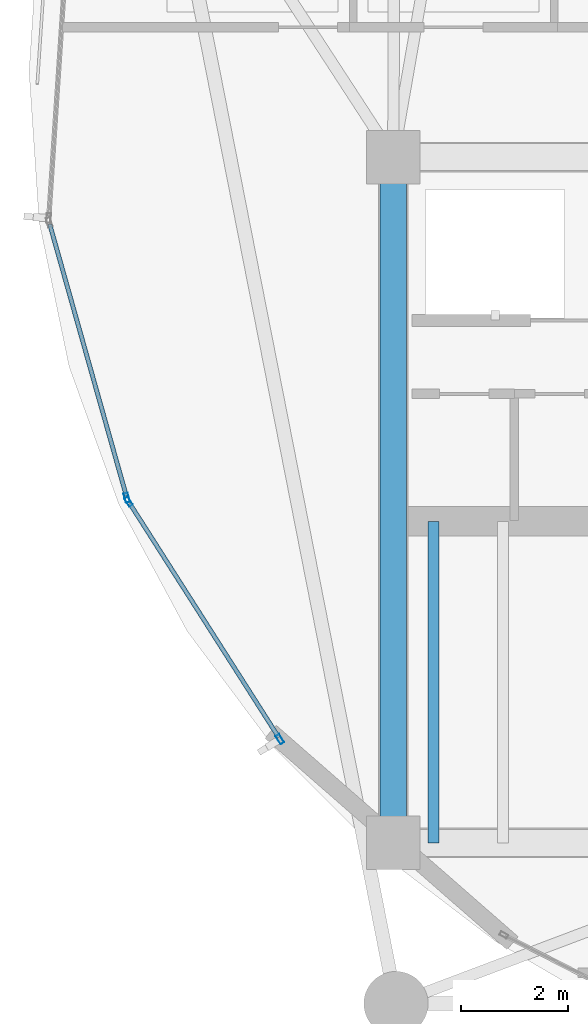
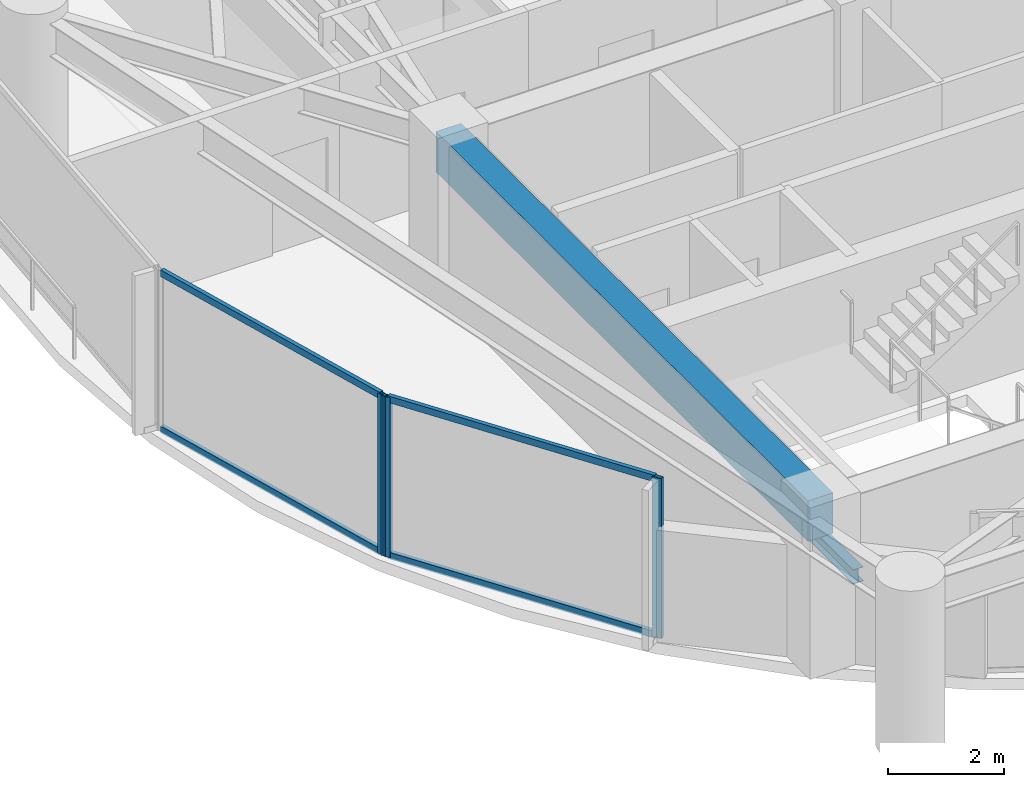
# One storey, part 3 of 31: 7 members, 2 beams, 2 elements without a shape of their own.
"""IFC4 building model written with IfcOpenShell, lengths in metres."""

from ifc_helpers import new_model, si_unit, direction, frame, origin, origin_2d, place, context, subcontext, project, spatial, rectangle, hollow_rectangle, i_section, extrude, material, layer, layer_set, material_profile, profile_set, type_object, element, aggregate, save


model = new_model("IFC4")

# Units and contexts
model_context = context("Model", 3, precision=1e-05, world=origin(), true_north=direction((0.0, 1.0)))
body_context = subcontext(model_context, "Body", "Model", "MODEL_VIEW")
ifc_project = project(units=[si_unit("LENGTHUNIT", "METRE"), si_unit("AREAUNIT", "SQUARE_METRE"), si_unit("VOLUMEUNIT", "CUBIC_METRE"), si_unit("PLANEANGLEUNIT", "RADIAN"), si_unit("MASSUNIT", "GRAM", prefix="KILO")], contexts=[model_context])

# Site, building, storey
site_placement = place(None, origin())
site = spatial("IfcSite", under=ifc_project, at=site_placement, CompositionType="ELEMENT")
building_placement = place(site_placement, origin())
building = spatial("IfcBuilding", under=site, at=building_placement, Name="Kazevale Care Tower and Concert Hall", CompositionType="ELEMENT")
storey_placement = place(building_placement, frame((0.0, 0.0, 124.199951171875)))
storey = spatial("IfcBuildingStorey", under=building, at=storey_placement, Name="L32", CompositionType="ELEMENT", Elevation=124.199951171875)

# Curtain wall, members
ifc_material_1 = material(Name="Aluminium 6063-T6 and Low-E Glass", Category="aluminium")
ifc_layer = layer(ifc_material_1, 0.179931640625)
ifc_layer_set = layer_set([ifc_layer], Name="Aluminium 6063-T6 and Low-E Glass")
curtain_wall_type = type_object("IfcCurtainWallType", Name="Waist & Upper Residential Curtain Wall CW-4", PredefinedType="NOTDEFINED", material=ifc_layer_set)
curtain_wall_1_placement = place(storey_placement, origin())
curtain_wall_1 = element("IfcCurtainWall", 1, at=curtain_wall_1_placement, inside=storey, type_object=curtain_wall_type, Name="cw:L32:f11", PredefinedType="NOTDEFINED")
ifc_material_2 = material(Name="Aluminium 6063-T6", Category="aluminium")
ifc_material_profile_1 = material_profile(ifc_material_2, hollow_rectangle(XDim=0.080078125, YDim=0.179931640625, WallThickness=0.0048828125, at=origin_2d()), Name="ALU80x180x5")
ifc_profile_set_1 = profile_set([ifc_material_profile_1], Name="Aluminium 6063-T6")
member_type_1 = type_object("IfcMemberType", Name="CW-4 Mullion ALU80x180x5", PredefinedType="MULLION", material=ifc_profile_set_1)
member_1_placement = place(storey_placement, frame((19.882568359375, 25.53564453125, 0.0), z_axis=(0.0, 0.0, 1.0), x_axis=(-0.843429930967, -0.537239193981, 0.0)))
member_1 = element("IfcMember", 2, at=member_1_placement, type_object=member_type_1, Name="CW-4 mullion 1", PredefinedType="MULLION", context=body_context, shape_type="SweptSolid", body=[
    extrude(hollow_rectangle(XDim=0.080078125, YDim=0.179931640625, WallThickness=0.0048828125, at=origin_2d()), origin(), (0.0, 0.0, 1.0), 3.360107421875),
])
member_2_placement = place(storey_placement, frame((17.05859375, 29.96923828125, 0.0), z_axis=(0.0, 0.0, 1.0), x_axis=(-0.843429930967, -0.537239193981, 0.0)))
member_2 = element("IfcMember", 3, at=member_2_placement, type_object=member_type_1, Name="CW-4 mullion 2", PredefinedType="MULLION", context=body_context, shape_type="SweptSolid", body=[
    extrude(hollow_rectangle(XDim=0.080078125, YDim=0.179931640625, WallThickness=0.0048828125, at=origin_2d()), origin(), (0.0, 0.0, 1.0), 3.360107421875),
])

# Curtain wall, member
curtain_wall_2_placement = place(storey_placement, origin())
curtain_wall_2 = element("IfcCurtainWall", 4, at=curtain_wall_2_placement, inside=storey, type_object=curtain_wall_type, Name="cw:L32:f12", PredefinedType="NOTDEFINED")
member_3_placement = place(storey_placement, frame((17.026123046875, 30.04150390625, 0.0), z_axis=(0.0, 0.0, 1.0), x_axis=(-0.962499078876, -0.271284948278, 0.0)))
member_3 = element("IfcMember", 5, at=member_3_placement, type_object=member_type_1, Name="CW-4 mullion 1", PredefinedType="MULLION", context=body_context, shape_type="SweptSolid", body=[
    extrude(hollow_rectangle(XDim=0.080078125, YDim=0.179931640625, WallThickness=0.0048828125, at=origin_2d()), origin(), (0.0, 0.0, 1.0), 3.360107421875),
])

# Member
ifc_material_profile_2 = material_profile(ifc_material_2, hollow_rectangle(XDim=0.080078125, YDim=0.139892578125, WallThickness=0.00390625, at=origin_2d()), Name="ALU80x140x4")
ifc_profile_set_2 = profile_set([ifc_material_profile_2], Name="Aluminium 6063-T6")
member_type_2 = type_object("IfcMemberType", Name="CW-4 Transom ALU80x140x4", PredefinedType="USERDEFINED", material=ifc_profile_set_2)
member_4_placement = place(storey_placement, frame((19.861083984375, 25.569580078125, 0.0400390625), z_axis=(-0.537241653837, 0.843428364109, 0.0), x_axis=(-0.843428364109, -0.537241653837, 0.0)))
member_4 = element("IfcMember", 6, at=member_4_placement, type_object=member_type_2, Name="CW-4 transom 1.1", ObjectType="TRANSOM", PredefinedType="USERDEFINED", context=body_context, shape_type="SweptSolid", body=[
    extrude(hollow_rectangle(XDim=0.080078125, YDim=0.139892578125, WallThickness=0.00390625, at=origin_2d()), origin(), (0.0, 0.0, 1.0), 5.176513671875),
])

member_5_placement = place(storey_placement, frame((19.861083984375, 25.569580078125, 3.320068359375), z_axis=(-0.537241653837, 0.843428364109, 0.0), x_axis=(-0.843428364109, -0.537241653837, 0.0)))
member_5 = element("IfcMember", 7, at=member_5_placement, type_object=member_type_2, Name="CW-4 transom 1.2", ObjectType="TRANSOM", PredefinedType="USERDEFINED", context=body_context, shape_type="SweptSolid", body=[
    extrude(hollow_rectangle(XDim=0.080078125, YDim=0.139892578125, WallThickness=0.00390625, at=origin_2d()), origin(), (0.0, 0.0, 1.0), 5.176513671875),
])

aggregate(curtain_wall_1, [member_1, member_2, member_4, member_5])

member_6_placement = place(storey_placement, frame((17.015380859375, 30.080078125, 0.0400390625), z_axis=(-0.271312503244, 0.962491311952, 0.0), x_axis=(-0.962491311952, -0.271312503244, 0.0)))
member_6 = element("IfcMember", 8, at=member_6_placement, type_object=member_type_2, Name="CW-4 transom 1.1", ObjectType="TRANSOM", PredefinedType="USERDEFINED", context=body_context, shape_type="SweptSolid", body=[
    extrude(hollow_rectangle(XDim=0.080078125, YDim=0.139892578125, WallThickness=0.00390625, at=origin_2d()), origin(), (0.0, 0.0, 1.0), 5.26220703125),
])

member_7_placement = place(storey_placement, frame((17.015380859375, 30.080078125, 3.320068359375), z_axis=(-0.271312503244, 0.962491311952, 0.0), x_axis=(-0.962491311952, -0.271312503244, 0.0)))
member_7 = element("IfcMember", 9, at=member_7_placement, type_object=member_type_2, Name="CW-4 transom 1.2", ObjectType="TRANSOM", PredefinedType="USERDEFINED", context=body_context, shape_type="SweptSolid", body=[
    extrude(hollow_rectangle(XDim=0.080078125, YDim=0.139892578125, WallThickness=0.00390625, at=origin_2d()), origin(), (0.0, 0.0, 1.0), 5.26220703125),
])

aggregate(curtain_wall_2, [member_3, member_6, member_7])

# Beams
ifc_material_3 = material(Name="Concrete C60", Category="concrete")
ifc_material_profile_3 = material_profile(ifc_material_3, rectangle(XDim=0.5, YDim=0.85009765625, at=origin_2d()), Name="RC-B500x850")
ifc_profile_set_3 = profile_set([ifc_material_profile_3], Name="Concrete C60")
beam_type_1 = type_object("IfcBeamType", Name="Core Coupling Beam RC500x850", PredefinedType="LINTEL", material=ifc_profile_set_3)
beam_1_placement = place(storey_placement, frame((22.0, 36.39990234375, 2.93505859375), z_axis=(0.0, -1.0, 0.0), x_axis=(1.0, 0.0, 0.0)))
element("IfcBeam", 10, at=beam_1_placement, inside=storey, type_object=beam_type_1, Name="beam:L32:coretie:8", PredefinedType="LINTEL", context=body_context, shape_type="SweptSolid", body=[
    extrude(rectangle(XDim=0.5, YDim=0.85009765625, at=origin_2d()), origin(), (0.0, 0.0, 1.0), 12.7998046875),
])
ifc_material_4 = material(Name="Steel ASTM A572 Gr 50", Category="steel")
ifc_material_profile_4 = material_profile(ifc_material_4, i_section(OverallWidth=0.202880859375, OverallDepth=0.302978515625, WebThickness=0.007568359375, FlangeThickness=0.01318359375, at=origin_2d()), Name="W310x60")
ifc_profile_set_4 = profile_set([ifc_material_profile_4], Name="Steel ASTM A572 Gr 50")
beam_type_2 = type_object("IfcBeamType", Name="Stair & Balcony Trimmer W310x60", PredefinedType="BEAM", material=ifc_profile_set_4)
beam_2_placement = place(storey_placement, frame((22.75, 23.60009765625, 1.448486328125), z_axis=(0.0, 1.0, 0.0), x_axis=(-1.0, 0.0, 0.0)))
element("IfcBeam", 11, at=beam_2_placement, inside=storey, type_object=beam_type_2, Name="beam:L32:sttrim:ST1", PredefinedType="BEAM", context=body_context, shape_type="SweptSolid", body=[
    extrude(i_section(OverallWidth=0.202880859375, OverallDepth=0.302978515625, WebThickness=0.007568359375, FlangeThickness=0.01318359375, at=origin_2d()), origin(), (0.0, 0.0, 1.0), 6.0),
])

save(model, "model.ifc")
